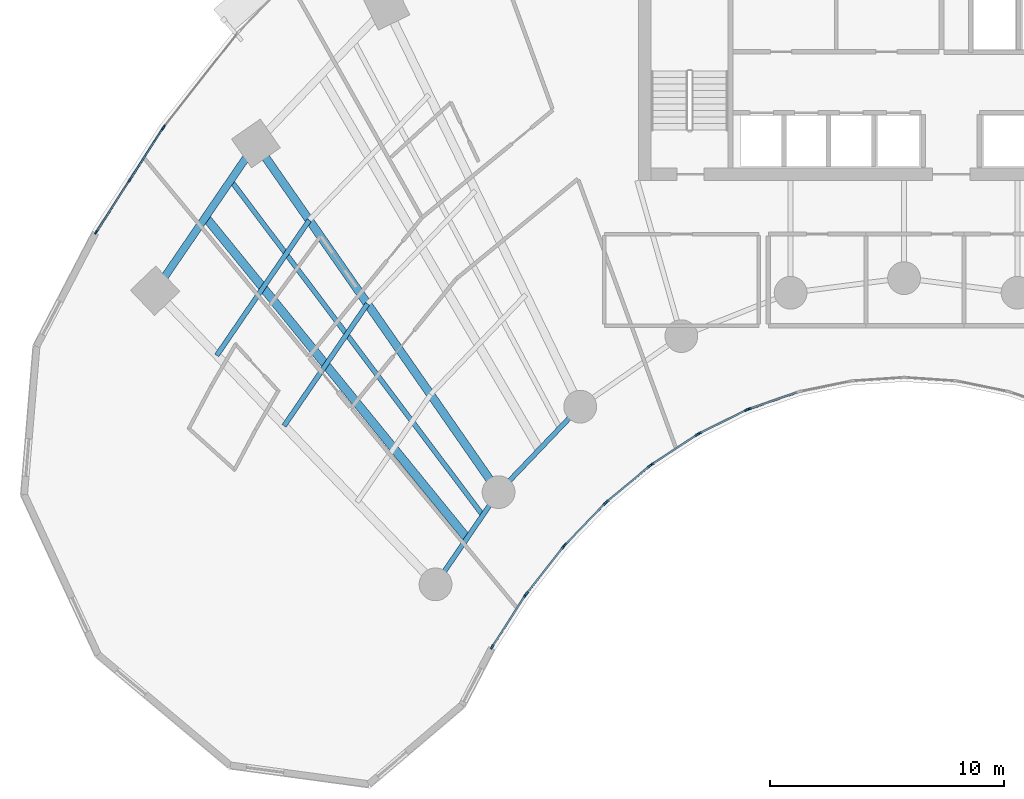
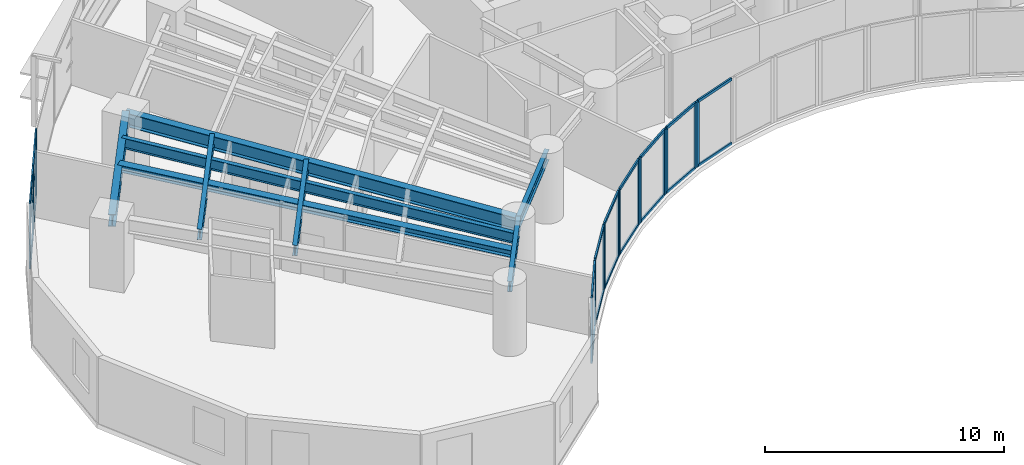
# One storey, part 2 of 17: 37 members, 8 beams, 9 elements without a shape of their own.
"""IFC4 building model written with IfcOpenShell, lengths in metres."""

from ifc_helpers import new_model, si_unit, direction, frame, origin, origin_2d, place, context, subcontext, project, spatial, rectangle, i_section, extrude, source, transform, mapped, material, layer, layer_set, material_profile, profile_set, type_object, type_shapes, element, aggregate, save


model = new_model("IFC4")

# Units and contexts
model_context = context("Model", 3, precision=1e-05, world=origin(), true_north=direction((0.0, 1.0)))
body_context = subcontext(model_context, "Body", "Model", "MODEL_VIEW")
ifc_project = project(units=[si_unit("LENGTHUNIT", "METRE"), si_unit("AREAUNIT", "SQUARE_METRE"), si_unit("VOLUMEUNIT", "CUBIC_METRE"), si_unit("PLANEANGLEUNIT", "RADIAN"), si_unit("MASSUNIT", "GRAM", prefix="KILO")], contexts=[model_context])

# Site, building, storey
site_placement = place(None, origin())
site = spatial("IfcSite", under=ifc_project, at=site_placement, CompositionType="ELEMENT")
building_placement = place(site_placement, origin())
building = spatial("IfcBuilding", under=site, at=building_placement, Name="Breltana Convention Tower", CompositionType="ELEMENT")
storey_placement = place(building_placement, frame((0.0, 0.0, 46.199951171875)))
storey = spatial("IfcBuildingStorey", under=building, at=storey_placement, Name="L09", CompositionType="ELEMENT", Elevation=46.199951171875)

# Beams
ifc_material_1 = material(Name="Steel ASTM A992 Grade 50", Category="steel")
ifc_material_profile_1 = material_profile(ifc_material_1, i_section(OverallWidth=0.323974609375, OverallDepth=0.611083984375, WebThickness=0.0126953125, FlangeThickness=0.01904296875, at=origin_2d()), Name="W24X104")
ifc_profile_set_1 = profile_set([ifc_material_profile_1], Name="Steel ASTM A992 Grade 50")
beam_type_1 = type_object("IfcBeamType", Name="BM-SP-W24X104", PredefinedType="SPANDREL", material=ifc_profile_set_1)
shared_shape_1 = source(origin(), body_context, "Body", "SweptSolid", [
    extrude(i_section(OverallWidth=0.323974609375, OverallDepth=0.611083984375, WebThickness=0.0126953125, FlangeThickness=0.01904296875, at=origin_2d()), origin(), (0.0, 0.0, 1.0), 7.625),
])
type_shapes(beam_type_1, [shared_shape_1])
beam_1_placement = place(storey_placement, frame((16.0068359375, 55.494384765625, 3.054443359375), z_axis=(0.564452031902, 0.825465870694, 0.0), x_axis=(-0.825465870694, 0.564452031902, 0.0)))
element("IfcBeam", 1, at=beam_1_placement, inside=storey, type_object=beam_type_1, Name="L09 Outer Spandrel Beam 01", PredefinedType="SPANDREL", context=body_context, shape_type="MappedRepresentation", body=[
    mapped(shared_shape_1, transform((0.0, 0.0, 0.0), scale=1.0)),
])
ifc_material_profile_2 = material_profile(ifc_material_1, i_section(OverallWidth=0.35498046875, OverallDepth=0.696044921875, WebThickness=0.015380859375, FlangeThickness=0.02490234375, at=origin_2d()), Name="W27X146")
ifc_profile_set_2 = profile_set([ifc_material_profile_2], Name="Steel ASTM A992 Grade 50")
beam_type_2 = type_object("IfcBeamType", Name="BM-RG-W27X146", PredefinedType="USERDEFINED", material=ifc_profile_set_2)
shared_shape_2 = source(origin(), body_context, "Body", "SweptSolid", [
    extrude(i_section(OverallWidth=0.35498046875, OverallDepth=0.696044921875, WebThickness=0.015380859375, FlangeThickness=0.02490234375, at=origin_2d()), origin(), (0.0, 0.0, 1.0), 18.1484375),
])
beam_2_placement = place(storey_placement, frame((30.67724609375, 46.892333984375, 3.011962890625), z_axis=(-0.571207556098, 0.820805657788, 0.0), x_axis=(-0.820805657788, -0.571207556098, 0.0)))
element("IfcBeam", 2, at=beam_2_placement, inside=storey, type_object=beam_type_2, Name="L09 Radial Floor Girder R02", ObjectType="GIRDER", PredefinedType="USERDEFINED", context=body_context, shape_type="MappedRepresentation", body=[
    mapped(shared_shape_2, transform((0.0, 0.0, 0.0), scale=1.0)),
])
ifc_material_profile_3 = material_profile(ifc_material_1, i_section(OverallWidth=0.2099609375, OverallDepth=0.537109375, WebThickness=0.010986328125, FlangeThickness=0.017333984375, at=origin_2d()), Name="W21X68")
ifc_profile_set_3 = profile_set([ifc_material_profile_3], Name="Steel ASTM A992 Grade 50")
beam_type_3 = type_object("IfcBeamType", Name="BM-BM-W21X68", PredefinedType="BEAM", material=ifc_profile_set_3)
shared_shape_3 = source(origin(), body_context, "Body", "SweptSolid", [
    extrude(i_section(OverallWidth=0.2099609375, OverallDepth=0.537109375, WebThickness=0.010986328125, FlangeThickness=0.017333984375, at=origin_2d()), origin(), (0.0, 0.0, 1.0), 4.770263671875),
])
beam_3_placement = place(storey_placement, frame((27.984619140625, 42.95458984375, 3.091552734375), z_axis=(0.564452719055, 0.82546540082, 0.0), x_axis=(-0.82546540082, 0.564452719055, 0.0)))
element("IfcBeam", 3, at=beam_3_placement, inside=storey, type_object=beam_type_3, Name="L09 Inner Ring Beam 01", PredefinedType="BEAM", context=body_context, shape_type="MappedRepresentation", body=[
    mapped(shared_shape_3, transform((0.0, 0.0, 0.0), scale=1.0)),
])
shared_shape_4 = source(origin(), body_context, "Body", "SweptSolid", [
    extrude(i_section(OverallWidth=0.2099609375, OverallDepth=0.537109375, WebThickness=0.010986328125, FlangeThickness=0.017333984375, at=origin_2d()), origin(), (0.0, 0.0, 1.0), 5.05126953125),
])
beam_4_placement = place(storey_placement, frame((30.67724609375, 46.892333984375, 3.091552734375), z_axis=(0.690729753845, 0.7231129975, 0.0), x_axis=(-0.7231129975, 0.690729753845, 0.0)))
element("IfcBeam", 4, at=beam_4_placement, inside=storey, type_object=beam_type_3, Name="L09 Inner Ring Beam 02", PredefinedType="BEAM", context=body_context, shape_type="MappedRepresentation", body=[
    mapped(shared_shape_4, transform((0.0, 0.0, 0.0), scale=1.0)),
])
ifc_material_profile_4 = material_profile(ifc_material_1, i_section(OverallWidth=0.2099609375, OverallDepth=0.537109375, WebThickness=0.010986328125, FlangeThickness=0.017333984375, at=origin_2d()), Name="W21X68")
ifc_profile_set_4 = profile_set([ifc_material_profile_4], Name="Steel ASTM A992 Grade 50")
beam_type_4 = type_object("IfcBeamType", Name="BM-JSG-04", PredefinedType="JOIST", material=ifc_profile_set_4)
shared_shape_5 = source(origin(), body_context, "Body", "SweptSolid", [
    extrude(i_section(OverallWidth=0.2099609375, OverallDepth=0.537109375, WebThickness=0.010986328125, FlangeThickness=0.017333984375, at=origin_2d()), origin(), (0.0, 0.0, 1.0), 6.311767578125),
])
beam_5_placement = place(storey_placement, frame((21.5166015625, 49.72607421875, 3.091552734375), z_axis=(0.564453712577, 0.825464721449, 0.0), x_axis=(-0.825464721449, 0.564453712577, 0.0)))
element("IfcBeam", 5, at=beam_5_placement, inside=storey, type_object=beam_type_4, Name="L09 Composite Floor Joist 01.2", PredefinedType="JOIST", context=body_context, shape_type="MappedRepresentation", body=[
    mapped(shared_shape_5, transform((0.0, 0.0, 0.0), scale=1.0)),
])
shared_shape_6 = source(origin(), body_context, "Body", "SweptSolid", [
    extrude(i_section(OverallWidth=0.2099609375, OverallDepth=0.537109375, WebThickness=0.010986328125, FlangeThickness=0.017333984375, at=origin_2d()), origin(), (0.0, 0.0, 1.0), 6.997314453125),
])
beam_6_placement = place(storey_placement, frame((18.641845703125, 52.735595703125, 3.091552734375), z_axis=(0.564468756361, 0.825454434292, 0.0), x_axis=(-0.825454434292, 0.564468756361, 0.0)))
element("IfcBeam", 6, at=beam_6_placement, inside=storey, type_object=beam_type_4, Name="L09 Composite Floor Joist 01.3", PredefinedType="JOIST", context=body_context, shape_type="MappedRepresentation", body=[
    mapped(shared_shape_6, transform((0.0, 0.0, 0.0), scale=1.0)),
])
ifc_material_profile_5 = material_profile(ifc_material_1, i_section(OverallWidth=0.368896484375, OverallDepth=0.35595703125, WebThickness=0.01123046875, FlangeThickness=0.01806640625, at=origin_2d()), Name="W14X90")
ifc_profile_set_5 = profile_set([ifc_material_profile_5], Name="Steel ASTM A992 Grade 50")
beam_type_5 = type_object("IfcBeamType", Name="BM-JSG-09", PredefinedType="JOIST", material=ifc_profile_set_5)
shared_shape_7 = source(origin(), body_context, "Body", "SweptSolid", [
    extrude(i_section(OverallWidth=0.368896484375, OverallDepth=0.35595703125, WebThickness=0.01123046875, FlangeThickness=0.01806640625, at=origin_2d()), origin(), (0.0, 0.0, 1.0), 17.691650390625),
])
type_shapes(beam_type_5, [shared_shape_7])
beam_7_placement = place(storey_placement, frame((29.330810546875, 44.923583984375, 3.18212890625), z_axis=(-0.631476958478, 0.775394642044, 0.0), x_axis=(-0.775394642044, -0.631476958478, 0.0)))
element("IfcBeam", 7, at=beam_7_placement, inside=storey, type_object=beam_type_5, Name="L09 Mid-Bay Radial Trimmer 01", PredefinedType="JOIST", context=body_context, shape_type="MappedRepresentation", body=[
    mapped(shared_shape_7, transform((0.0, 0.0, 0.0), scale=1.0)),
])
shared_shape_8 = source(origin(), body_context, "Body", "SweptSolid", [
    extrude(i_section(OverallWidth=0.2099609375, OverallDepth=0.537109375, WebThickness=0.010986328125, FlangeThickness=0.017333984375, at=origin_2d()), origin(), (0.0, 0.0, 1.0), 17.9072265625),
])
beam_8_placement = place(storey_placement, frame((30.00390625, 45.907958984375, 3.091552734375), z_axis=(-0.601382105028, 0.798961553363, 0.0), x_axis=(-0.798961553363, -0.601382105028, 0.0)))
element("IfcBeam", 8, at=beam_8_placement, inside=storey, type_object=beam_type_4, Name="L09 Quarter-Bay Radial Trimmer 01", PredefinedType="JOIST", context=body_context, shape_type="MappedRepresentation", body=[
    mapped(shared_shape_8, transform((0.0, 0.0, 0.0), scale=1.0)),
])

# Curtain wall, members
ifc_material_2 = material(Name="Aluminium Anodised Bronze Frame", Category="aluminium")
ifc_layer_1 = layer(ifc_material_2, 0.18994140625, Name="Aluminium Anodised Bronze Frame")
ifc_layer_set_1 = layer_set([ifc_layer_1], Name="Aluminium Anodised Bronze Frame")
curtain_wall_type_1 = type_object("IfcCurtainWallType", Name="CW-SYS-1", PredefinedType="NOTDEFINED", material=ifc_layer_set_1)
curtain_wall_1_placement = place(storey_placement, origin())
curtain_wall_1 = element("IfcCurtainWall", 9, at=curtain_wall_1_placement, inside=storey, type_object=curtain_wall_type_1, Name="L09 inner south-court glazing 16", PredefinedType="NOTDEFINED")
ifc_material_3 = material(Name="Aluminium Anodised Bronze", Category="aluminium")
ifc_material_profile_6 = material_profile(ifc_material_3, rectangle(XDim=0.080078125, YDim=0.139892578125, at=origin_2d()), Name="CWT-80X140")
ifc_profile_set_6 = profile_set([ifc_material_profile_6], Name="Aluminium Anodised Bronze")
member_type_1 = type_object("IfcMemberType", Name="CWT-140", PredefinedType="USERDEFINED", material=ifc_profile_set_6)
shared_shape_9 = source(origin(), body_context, "Body", "SweptSolid", [
    extrude(rectangle(XDim=0.080078125, YDim=0.139892578125, at=origin_2d()), origin(), (0.0, 0.0, 1.0), 2.38720703125),
])
type_shapes(member_type_1, [shared_shape_9])
member_1_placement = place(storey_placement, frame((35.2021484375, 46.385009765625, 0.0400390625), z_axis=(-0.694623715393, -0.719373264734, 0.0), x_axis=(0.719373264734, -0.694623715393, 0.0)))
member_1 = element("IfcMember", 10, at=member_1_placement, type_object=member_type_1, Name="CW-01 transom 1.1", ObjectType="TRANSOM", PredefinedType="USERDEFINED", context=body_context, shape_type="MappedRepresentation", body=[
    mapped(shared_shape_9, transform((0.0, 0.0, 0.0), scale=1.0)),
])
member_2_placement = place(storey_placement, frame((35.2021484375, 46.385009765625, 3.320068359375), z_axis=(-0.694623715393, -0.719373264734, 0.0), x_axis=(0.719373264734, -0.694623715393, 0.0)))
member_2 = element("IfcMember", 11, at=member_2_placement, type_object=member_type_1, Name="CW-01 transom 1.2", ObjectType="TRANSOM", PredefinedType="USERDEFINED", context=body_context, shape_type="MappedRepresentation", body=[
    mapped(shared_shape_9, transform((0.0, 0.0, 0.0), scale=1.0)),
])

curtain_wall_2_placement = place(storey_placement, origin())
curtain_wall_2 = element("IfcCurtainWall", 12, at=curtain_wall_2_placement, inside=storey, type_object=curtain_wall_type_1, Name="L09 inner south-court glazing 15", PredefinedType="NOTDEFINED")
shared_shape_10 = source(origin(), body_context, "Body", "SweptSolid", [
    extrude(rectangle(XDim=0.080078125, YDim=0.139892578125, at=origin_2d()), origin(), (0.0, 0.0, 1.0), 2.312255859375),
])
member_3_placement = place(storey_placement, frame((37.10888671875, 47.988037109375, 0.0400390625), z_axis=(-0.767900974507, -0.640568570374, 0.0), x_axis=(0.640568570374, -0.767900974507, 0.0)))
member_3 = element("IfcMember", 13, at=member_3_placement, type_object=member_type_1, Name="CW-01 transom 1.1", ObjectType="TRANSOM", PredefinedType="USERDEFINED", context=body_context, shape_type="MappedRepresentation", body=[
    mapped(shared_shape_10, transform((0.0, 0.0, 0.0), scale=1.0)),
])
member_4_placement = place(storey_placement, frame((37.10888671875, 47.988037109375, 3.320068359375), z_axis=(-0.767900974507, -0.640568570374, 0.0), x_axis=(0.640568570374, -0.767900974507, 0.0)))
member_4 = element("IfcMember", 14, at=member_4_placement, type_object=member_type_1, Name="CW-01 transom 1.2", ObjectType="TRANSOM", PredefinedType="USERDEFINED", context=body_context, shape_type="MappedRepresentation", body=[
    mapped(shared_shape_10, transform((0.0, 0.0, 0.0), scale=1.0)),
])

curtain_wall_3_placement = place(storey_placement, origin())
curtain_wall_3 = element("IfcCurtainWall", 15, at=curtain_wall_3_placement, inside=storey, type_object=curtain_wall_type_1, Name="L09 inner south-court glazing 14", PredefinedType="NOTDEFINED")
shared_shape_11 = source(origin(), body_context, "Body", "SweptSolid", [
    extrude(rectangle(XDim=0.080078125, YDim=0.139892578125, at=origin_2d()), origin(), (0.0, 0.0, 1.0), 2.2421875),
])
member_5_placement = place(storey_placement, frame((39.128173828125, 49.325927734375, 0.0400390625), z_axis=(-0.835982353773, -0.548756324957, 0.0), x_axis=(0.548756324957, -0.835982353773, 0.0)))
member_5 = element("IfcMember", 16, at=member_5_placement, type_object=member_type_1, Name="CW-01 transom 1.1", ObjectType="TRANSOM", PredefinedType="USERDEFINED", context=body_context, shape_type="MappedRepresentation", body=[
    mapped(shared_shape_11, transform((0.0, 0.0, 0.0), scale=1.0)),
])
member_6_placement = place(storey_placement, frame((39.128173828125, 49.325927734375, 3.320068359375), z_axis=(-0.835982353773, -0.548756324957, 0.0), x_axis=(0.548756324957, -0.835982353773, 0.0)))
member_6 = element("IfcMember", 17, at=member_6_placement, type_object=member_type_1, Name="CW-01 transom 1.2", ObjectType="TRANSOM", PredefinedType="USERDEFINED", context=body_context, shape_type="MappedRepresentation", body=[
    mapped(shared_shape_11, transform((0.0, 0.0, 0.0), scale=1.0)),
])

curtain_wall_4_placement = place(storey_placement, origin())
curtain_wall_4 = element("IfcCurtainWall", 18, at=curtain_wall_4_placement, inside=storey, type_object=curtain_wall_type_1, Name="L09 inner south-court glazing 13", PredefinedType="NOTDEFINED")
shared_shape_12 = source(origin(), body_context, "Body", "SweptSolid", [
    extrude(rectangle(XDim=0.080078125, YDim=0.139892578125, at=origin_2d()), origin(), (0.0, 0.0, 1.0), 2.180908203125),
])
member_7_placement = place(storey_placement, frame((41.239501953125, 50.384765625, 0.0400390625), z_axis=(-0.895922266369, -0.444210865045, 0.0), x_axis=(0.444210865045, -0.895922266369, 0.0)))
member_7 = element("IfcMember", 19, at=member_7_placement, type_object=member_type_1, Name="CW-01 transom 1.1", ObjectType="TRANSOM", PredefinedType="USERDEFINED", context=body_context, shape_type="MappedRepresentation", body=[
    mapped(shared_shape_12, transform((0.0, 0.0, 0.0), scale=1.0)),
])
member_8_placement = place(storey_placement, frame((41.239501953125, 50.384765625, 3.320068359375), z_axis=(-0.895922266369, -0.444210865045, 0.0), x_axis=(0.444210865045, -0.895922266369, 0.0)))
member_8 = element("IfcMember", 20, at=member_8_placement, type_object=member_type_1, Name="CW-01 transom 1.2", ObjectType="TRANSOM", PredefinedType="USERDEFINED", context=body_context, shape_type="MappedRepresentation", body=[
    mapped(shared_shape_12, transform((0.0, 0.0, 0.0), scale=1.0)),
])

curtain_wall_5_placement = place(storey_placement, origin())
curtain_wall_5 = element("IfcCurtainWall", 21, at=curtain_wall_5_placement, inside=storey, type_object=curtain_wall_type_1, Name="L09 inner south-court glazing 17", PredefinedType="NOTDEFINED")
shared_shape_13 = source(origin(), body_context, "Body", "SweptSolid", [
    extrude(rectangle(XDim=0.080078125, YDim=0.139892578125, at=origin_2d()), origin(), (0.0, 0.0, 1.0), 2.4638671875),
])
member_9_placement = place(storey_placement, frame((33.427001953125, 44.533447265625, 0.0400390625), z_axis=(-0.618184689608, -0.786032880695, 0.0), x_axis=(0.786032880695, -0.618184689608, 0.0)))
member_9 = element("IfcMember", 22, at=member_9_placement, type_object=member_type_1, Name="CW-01 transom 1.1", ObjectType="TRANSOM", PredefinedType="USERDEFINED", context=body_context, shape_type="MappedRepresentation", body=[
    mapped(shared_shape_13, transform((0.0, 0.0, 0.0), scale=1.0)),
])
member_10_placement = place(storey_placement, frame((33.427001953125, 44.533447265625, 3.320068359375), z_axis=(-0.618184689608, -0.786032880695, 0.0), x_axis=(0.786032880695, -0.618184689608, 0.0)))
member_10 = element("IfcMember", 23, at=member_10_placement, type_object=member_type_1, Name="CW-01 transom 1.2", ObjectType="TRANSOM", PredefinedType="USERDEFINED", context=body_context, shape_type="MappedRepresentation", body=[
    mapped(shared_shape_13, transform((0.0, 0.0, 0.0), scale=1.0)),
])

curtain_wall_6_placement = place(storey_placement, origin())
curtain_wall_6 = element("IfcCurtainWall", 24, at=curtain_wall_6_placement, inside=storey, type_object=curtain_wall_type_1, Name="L09 inner south-court glazing 18", PredefinedType="NOTDEFINED")
shared_shape_14 = source(origin(), body_context, "Body", "SweptSolid", [
    extrude(rectangle(XDim=0.080078125, YDim=0.139892578125, at=origin_2d()), origin(), (0.0, 0.0, 1.0), 2.53955078125),
])
member_11_placement = place(storey_placement, frame((31.801025390625, 42.452392578125, 0.0400390625), z_axis=(-0.540174413174, -0.841553090038, 0.0), x_axis=(0.841553090038, -0.540174413174, 0.0)))
member_11 = element("IfcMember", 25, at=member_11_placement, type_object=member_type_1, Name="CW-01 transom 1.1", ObjectType="TRANSOM", PredefinedType="USERDEFINED", context=body_context, shape_type="MappedRepresentation", body=[
    mapped(shared_shape_14, transform((0.0, 0.0, 0.0), scale=1.0)),
])
member_12_placement = place(storey_placement, frame((31.801025390625, 42.452392578125, 3.320068359375), z_axis=(-0.540174413174, -0.841553090038, 0.0), x_axis=(0.841553090038, -0.540174413174, 0.0)))
member_12 = element("IfcMember", 26, at=member_12_placement, type_object=member_type_1, Name="CW-01 transom 1.2", ObjectType="TRANSOM", PredefinedType="USERDEFINED", context=body_context, shape_type="MappedRepresentation", body=[
    mapped(shared_shape_14, transform((0.0, 0.0, 0.0), scale=1.0)),
])

# Curtain wall, member
curtain_wall_7_placement = place(storey_placement, origin())
curtain_wall_7 = element("IfcCurtainWall", 27, at=curtain_wall_7_placement, inside=storey, type_object=curtain_wall_type_1, Name="L09 inner south-court glazing 12", PredefinedType="NOTDEFINED")
ifc_material_profile_7 = material_profile(ifc_material_3, rectangle(XDim=0.080078125, YDim=0.199951171875, at=origin_2d()), Name="CWM-80X200")
ifc_profile_set_7 = profile_set([ifc_material_profile_7], Name="Aluminium Anodised Bronze")
member_type_2 = type_object("IfcMemberType", Name="CWM-200", PredefinedType="MULLION", material=ifc_profile_set_7)
shared_shape_15 = source(origin(), body_context, "Body", "SweptSolid", [
    extrude(rectangle(XDim=0.080078125, YDim=0.199951171875, at=origin_2d()), origin(), (0.0, 0.0, 1.0), 3.360107421875),
])
member_13_placement = place(storey_placement, frame((41.3701171875, 50.442138671875, 0.0), z_axis=(0.0, 0.0, 1.0), x_axis=(0.327413341714, -0.944881211406, 0.0)))
member_13 = element("IfcMember", 28, at=member_13_placement, type_object=member_type_2, Name="CW-01 mullion 2", PredefinedType="MULLION", context=body_context, shape_type="MappedRepresentation", body=[
    mapped(shared_shape_15, transform((0.0, 0.0, 0.0), scale=1.0)),
])

# Member
member_14_placement = place(storey_placement, frame((41.275390625, 50.40234375, 0.0), z_axis=(0.0, 0.0, 1.0), x_axis=(0.444117987602, -0.895968310315, 0.0)))
member_14 = element("IfcMember", 29, at=member_14_placement, type_object=member_type_2, Name="CW-01 mullion 1", PredefinedType="MULLION", context=body_context, shape_type="MappedRepresentation", body=[
    mapped(shared_shape_15, transform((0.0, 0.0, 0.0), scale=1.0)),
])

member_15_placement = place(storey_placement, frame((39.249755859375, 49.3984375, 0.0), z_axis=(0.0, 0.0, 1.0), x_axis=(0.444117987602, -0.895968310315, 0.0)))
member_15 = element("IfcMember", 30, at=member_15_placement, type_object=member_type_2, Name="CW-01 mullion 2", PredefinedType="MULLION", context=body_context, shape_type="MappedRepresentation", body=[
    mapped(shared_shape_15, transform((0.0, 0.0, 0.0), scale=1.0)),
])

aggregate(curtain_wall_4, [member_14, member_15, member_7, member_8])

member_16_placement = place(storey_placement, frame((39.16162109375, 49.347900390625, 0.0), z_axis=(0.0, 0.0, 1.0), x_axis=(0.548778278441, -0.835967942634, 0.0)))
member_16 = element("IfcMember", 31, at=member_16_placement, type_object=member_type_2, Name="CW-01 mullion 1", PredefinedType="MULLION", context=body_context, shape_type="MappedRepresentation", body=[
    mapped(shared_shape_15, transform((0.0, 0.0, 0.0), scale=1.0)),
])

member_17_placement = place(storey_placement, frame((37.220458984375, 48.073486328125, 0.0), z_axis=(0.0, 0.0, 1.0), x_axis=(0.548778278441, -0.835967942634, 0.0)))
member_17 = element("IfcMember", 32, at=member_17_placement, type_object=member_type_2, Name="CW-01 mullion 2", PredefinedType="MULLION", context=body_context, shape_type="MappedRepresentation", body=[
    mapped(shared_shape_15, transform((0.0, 0.0, 0.0), scale=1.0)),
])

aggregate(curtain_wall_3, [member_16, member_17, member_5, member_6])

member_18_placement = place(storey_placement, frame((37.1396484375, 48.013671875, 0.0), z_axis=(0.0, 0.0, 1.0), x_axis=(0.640522524458, -0.767939382804, 0.0)))
member_18 = element("IfcMember", 33, at=member_18_placement, type_object=member_type_2, Name="CW-01 mullion 1", PredefinedType="MULLION", context=body_context, shape_type="MappedRepresentation", body=[
    mapped(shared_shape_15, transform((0.0, 0.0, 0.0), scale=1.0)),
])

member_19_placement = place(storey_placement, frame((35.302734375, 46.481201171875, 0.0), z_axis=(0.0, 0.0, 1.0), x_axis=(0.640522524458, -0.767939382804, 0.0)))
member_19 = element("IfcMember", 34, at=member_19_placement, type_object=member_type_2, Name="CW-01 mullion 2", PredefinedType="MULLION", context=body_context, shape_type="MappedRepresentation", body=[
    mapped(shared_shape_15, transform((0.0, 0.0, 0.0), scale=1.0)),
])

aggregate(curtain_wall_2, [member_18, member_19, member_3, member_4])

member_20_placement = place(storey_placement, frame((35.22998046875, 46.413818359375, 0.0), z_axis=(0.0, 0.0, 1.0), x_axis=(0.719384548773, -0.694612029111, 0.0)))
member_20 = element("IfcMember", 35, at=member_20_placement, type_object=member_type_2, Name="CW-01 mullion 1", PredefinedType="MULLION", context=body_context, shape_type="MappedRepresentation", body=[
    mapped(shared_shape_15, transform((0.0, 0.0, 0.0), scale=1.0)),
])

member_21_placement = place(storey_placement, frame((33.51611328125, 44.638916015625, 0.0), z_axis=(0.0, 0.0, 1.0), x_axis=(0.719384548773, -0.694612029111, 0.0)))
member_21 = element("IfcMember", 36, at=member_21_placement, type_object=member_type_2, Name="CW-01 mullion 2", PredefinedType="MULLION", context=body_context, shape_type="MappedRepresentation", body=[
    mapped(shared_shape_15, transform((0.0, 0.0, 0.0), scale=1.0)),
])

aggregate(curtain_wall_1, [member_20, member_21, member_1, member_2])

member_22_placement = place(storey_placement, frame((33.45166015625, 44.56494140625, 0.0), z_axis=(0.0, 0.0, 1.0), x_axis=(0.786057762734, -0.61815305034, 0.0)))
member_22 = element("IfcMember", 37, at=member_22_placement, type_object=member_type_2, Name="CW-01 mullion 1", PredefinedType="MULLION", context=body_context, shape_type="MappedRepresentation", body=[
    mapped(shared_shape_15, transform((0.0, 0.0, 0.0), scale=1.0)),
])

member_23_placement = place(storey_placement, frame((31.87890625, 42.565185546875, 0.0), z_axis=(0.0, 0.0, 1.0), x_axis=(0.786057762734, -0.61815305034, 0.0)))
member_23 = element("IfcMember", 38, at=member_23_placement, type_object=member_type_2, Name="CW-01 mullion 2", PredefinedType="MULLION", context=body_context, shape_type="MappedRepresentation", body=[
    mapped(shared_shape_15, transform((0.0, 0.0, 0.0), scale=1.0)),
])

aggregate(curtain_wall_5, [member_22, member_23, member_9, member_10])

member_24_placement = place(storey_placement, frame((31.82275390625, 42.48583984375, 0.0), z_axis=(0.0, 0.0, 1.0), x_axis=(0.841556194767, -0.540169576197, 0.0)))
member_24 = element("IfcMember", 39, at=member_24_placement, type_object=member_type_2, Name="CW-01 mullion 1", PredefinedType="MULLION", context=body_context, shape_type="MappedRepresentation", body=[
    mapped(shared_shape_15, transform((0.0, 0.0, 0.0), scale=1.0)),
])

member_25_placement = place(storey_placement, frame((30.40771484375, 40.281494140625, 0.0), z_axis=(0.0, 0.0, 1.0), x_axis=(0.841556194767, -0.540169576197, 0.0)))
member_25 = element("IfcMember", 40, at=member_25_placement, type_object=member_type_2, Name="CW-01 mullion 2", PredefinedType="MULLION", context=body_context, shape_type="MappedRepresentation", body=[
    mapped(shared_shape_15, transform((0.0, 0.0, 0.0), scale=1.0)),
])

aggregate(curtain_wall_6, [member_24, member_25, member_11, member_12])

shared_shape_16 = source(origin(), body_context, "Body", "SweptSolid", [
    extrude(rectangle(XDim=0.080078125, YDim=0.139892578125, at=origin_2d()), origin(), (0.0, 0.0, 1.0), 2.131103515625),
])
member_26_placement = place(storey_placement, frame((43.421630859375, 51.153076171875, 0.0400390625), z_axis=(-0.944847069856, -0.327511854112, 0.0), x_axis=(0.327511854112, -0.944847069856, 0.0)))
member_26 = element("IfcMember", 41, at=member_26_placement, type_object=member_type_1, Name="CW-01 transom 1.1", ObjectType="TRANSOM", PredefinedType="USERDEFINED", context=body_context, shape_type="MappedRepresentation", body=[
    mapped(shared_shape_16, transform((0.0, 0.0, 0.0), scale=1.0)),
])

member_27_placement = place(storey_placement, frame((43.421630859375, 51.153076171875, 3.320068359375), z_axis=(-0.944847069856, -0.327511854112, 0.0), x_axis=(0.327511854112, -0.944847069856, 0.0)))
member_27 = element("IfcMember", 42, at=member_27_placement, type_object=member_type_1, Name="CW-01 transom 1.2", ObjectType="TRANSOM", PredefinedType="USERDEFINED", context=body_context, shape_type="MappedRepresentation", body=[
    mapped(shared_shape_16, transform((0.0, 0.0, 0.0), scale=1.0)),
])

aggregate(curtain_wall_7, [member_13, member_26, member_27])

# Curtain wall, members
ifc_layer_2 = layer(ifc_material_2, 0.199951171875, Name="Aluminium Anodised Bronze Frame")
ifc_layer_set_2 = layer_set([ifc_layer_2], Name="Aluminium Anodised Bronze Frame")
curtain_wall_type_2 = type_object("IfcCurtainWallType", Name="CW-SYS-2", PredefinedType="NOTDEFINED", material=ifc_layer_set_2)
curtain_wall_8_placement = place(storey_placement, origin())
curtain_wall_8 = element("IfcCurtainWall", 43, at=curtain_wall_8_placement, inside=storey, type_object=curtain_wall_type_2, Name="L09 outer double-skin inner glazing 1", PredefinedType="NOTDEFINED")
ifc_material_profile_8 = material_profile(ifc_material_3, rectangle(XDim=0.070068359375, YDim=0.175048828125, at=origin_2d()), Name="CWM-70X175")
ifc_profile_set_8 = profile_set([ifc_material_profile_8], Name="Aluminium Anodised Bronze")
member_type_3 = type_object("IfcMemberType", Name="CWM-175", PredefinedType="MULLION", material=ifc_profile_set_8)
shared_shape_17 = source(origin(), body_context, "Body", "SweptSolid", [
    extrude(rectangle(XDim=0.070068359375, YDim=0.175048828125, at=origin_2d()), origin(), (0.0, 0.0, 1.0), 3.360107421875),
])
type_shapes(member_type_3, [shared_shape_17])
member_28_placement = place(storey_placement, frame((13.487060546875, 57.993896484375, 0.0), z_axis=(0.0, 0.0, 1.0), x_axis=(-0.841549039154, 0.540180724109, 0.0)))
member_28 = element("IfcMember", 44, at=member_28_placement, type_object=member_type_3, Name="CW-02 mullion 1", PredefinedType="MULLION", context=body_context, shape_type="MappedRepresentation", body=[
    mapped(shared_shape_17, transform((0.0, 0.0, 0.0), scale=1.0)),
])
member_29_placement = place(storey_placement, frame((14.911865234375, 60.2138671875, 0.0), z_axis=(0.0, 0.0, 1.0), x_axis=(-0.841549039154, 0.540180724109, 0.0)))
member_29 = element("IfcMember", 45, at=member_29_placement, type_object=member_type_3, Name="CW-02 mullion 2", PredefinedType="MULLION", context=body_context, shape_type="MappedRepresentation", body=[
    mapped(shared_shape_17, transform((0.0, 0.0, 0.0), scale=1.0)),
])
member_30_placement = place(storey_placement, frame((16.3369140625, 62.43359375, 0.0), z_axis=(0.0, 0.0, 1.0), x_axis=(-0.841549039154, 0.540180724109, 0.0)))
member_30 = element("IfcMember", 46, at=member_30_placement, type_object=member_type_3, Name="CW-02 mullion 3", PredefinedType="MULLION", context=body_context, shape_type="MappedRepresentation", body=[
    mapped(shared_shape_17, transform((0.0, 0.0, 0.0), scale=1.0)),
])

# Curtain wall, member
curtain_wall_9_placement = place(storey_placement, origin())
curtain_wall_9 = element("IfcCurtainWall", 47, at=curtain_wall_9_placement, inside=storey, type_object=curtain_wall_type_2, Name="L09 outer double-skin inner glazing 2", PredefinedType="NOTDEFINED")
member_31_placement = place(storey_placement, frame((16.37744140625, 62.49072265625, 0.0), z_axis=(0.0, 0.0, 1.0), x_axis=(-0.786057080698, 0.618153917633, 0.0)))
member_31 = element("IfcMember", 48, at=member_31_placement, type_object=member_type_3, Name="CW-02 mullion 1", PredefinedType="MULLION", context=body_context, shape_type="MappedRepresentation", body=[
    mapped(shared_shape_17, transform((0.0, 0.0, 0.0), scale=1.0)),
])
aggregate(curtain_wall_9, [member_31])

# Member
ifc_material_profile_9 = material_profile(ifc_material_3, rectangle(XDim=0.070068359375, YDim=0.1201171875, at=origin_2d()), Name="CWT-70X120")
ifc_profile_set_9 = profile_set([ifc_material_profile_9], Name="Aluminium Anodised Bronze")
member_type_4 = type_object("IfcMemberType", Name="CWT-120", PredefinedType="USERDEFINED", material=ifc_profile_set_9)
shared_shape_18 = source(origin(), body_context, "Body", "SweptSolid", [
    extrude(rectangle(XDim=0.070068359375, YDim=0.1201171875, at=origin_2d()), origin(), (0.0, 0.0, 1.0), 2.56787109375),
])
type_shapes(member_type_4, [shared_shape_18])
member_32_placement = place(storey_placement, frame((13.505859375, 58.0234375, 0.03515625), z_axis=(0.54022409371, 0.841521199124, 0.0), x_axis=(-0.841521199124, 0.54022409371, 0.0)))
member_32 = element("IfcMember", 49, at=member_32_placement, type_object=member_type_4, Name="CW-02 transom 1.1", ObjectType="TRANSOM", PredefinedType="USERDEFINED", context=body_context, shape_type="MappedRepresentation", body=[
    mapped(shared_shape_18, transform((0.0, 0.0, 0.0), scale=1.0)),
])

member_33_placement = place(storey_placement, frame((13.505859375, 58.0234375, 2.18408203125), z_axis=(0.54022409371, 0.841521199124, 0.0), x_axis=(-0.841521199124, 0.54022409371, 0.0)))
member_33 = element("IfcMember", 50, at=member_33_placement, type_object=member_type_4, Name="CW-02 transom 1.2", ObjectType="TRANSOM", PredefinedType="USERDEFINED", context=body_context, shape_type="MappedRepresentation", body=[
    mapped(shared_shape_18, transform((0.0, 0.0, 0.0), scale=1.0)),
])

member_34_placement = place(storey_placement, frame((13.505859375, 58.0234375, 3.324951171875), z_axis=(0.54022409371, 0.841521199124, 0.0), x_axis=(-0.841521199124, 0.54022409371, 0.0)))
member_34 = element("IfcMember", 51, at=member_34_placement, type_object=member_type_4, Name="CW-02 transom 1.3", ObjectType="TRANSOM", PredefinedType="USERDEFINED", context=body_context, shape_type="MappedRepresentation", body=[
    mapped(shared_shape_18, transform((0.0, 0.0, 0.0), scale=1.0)),
])

member_35_placement = place(storey_placement, frame((14.930908203125, 60.2431640625, 0.03515625), z_axis=(0.540113540427, 0.841592159806, 0.0), x_axis=(-0.841592159806, 0.540113540427, 0.0)))
member_35 = element("IfcMember", 52, at=member_35_placement, type_object=member_type_4, Name="CW-02 transom 2.1", ObjectType="TRANSOM", PredefinedType="USERDEFINED", context=body_context, shape_type="MappedRepresentation", body=[
    mapped(shared_shape_18, transform((0.0, 0.0, 0.0), scale=1.0)),
])

member_36_placement = place(storey_placement, frame((14.930908203125, 60.2431640625, 2.18408203125), z_axis=(0.540113540427, 0.841592159806, 0.0), x_axis=(-0.841592159806, 0.540113540427, 0.0)))
member_36 = element("IfcMember", 53, at=member_36_placement, type_object=member_type_4, Name="CW-02 transom 2.2", ObjectType="TRANSOM", PredefinedType="USERDEFINED", context=body_context, shape_type="MappedRepresentation", body=[
    mapped(shared_shape_18, transform((0.0, 0.0, 0.0), scale=1.0)),
])

member_37_placement = place(storey_placement, frame((14.930908203125, 60.2431640625, 3.324951171875), z_axis=(0.540113540427, 0.841592159806, 0.0), x_axis=(-0.841592159806, 0.540113540427, 0.0)))
member_37 = element("IfcMember", 54, at=member_37_placement, type_object=member_type_4, Name="CW-02 transom 2.3", ObjectType="TRANSOM", PredefinedType="USERDEFINED", context=body_context, shape_type="MappedRepresentation", body=[
    mapped(shared_shape_18, transform((0.0, 0.0, 0.0), scale=1.0)),
])

aggregate(curtain_wall_8, [member_28, member_29, member_30, member_32, member_33, member_34, member_35, member_36, member_37])

save(model, "model.ifc")
